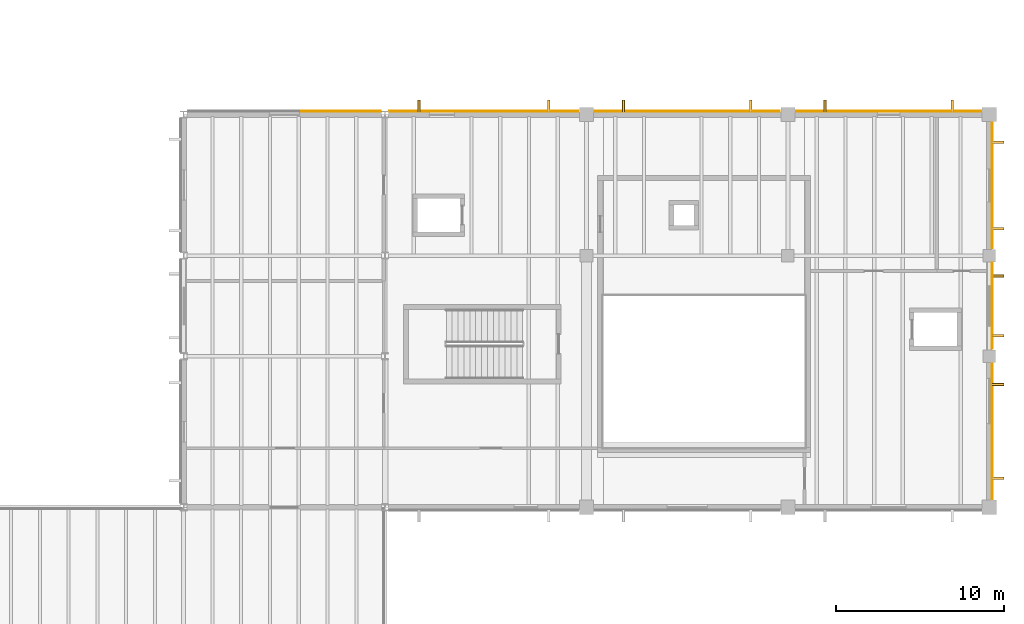
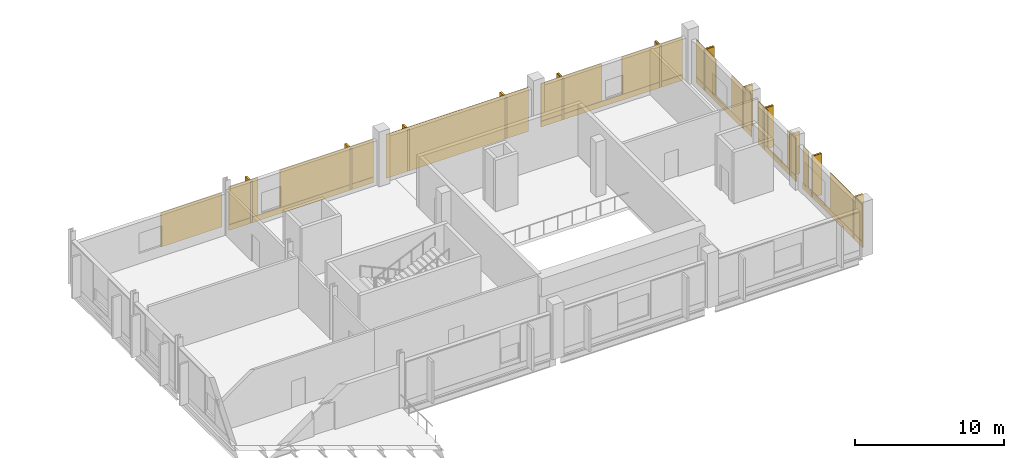
# One storey, part 78 of 78: 29 coverings, 12 shading devices.
"""IFC4 building model written with IfcOpenShell, lengths in metres."""

from ifc_helpers import new_model, si_unit, direction, frame, origin, origin_2d, place, context, subcontext, project, spatial, rectangle, extrude, material, layer, layer_set, type_object, element, save


model = new_model("IFC4")

# Units and contexts
model_context = context("Model", 3, precision=1e-05, world=origin(), true_north=direction((0.0, 1.0)))
body_context = subcontext(model_context, "Body", "Model", "MODEL_VIEW")
ifc_project = project(units=[si_unit("LENGTHUNIT", "METRE"), si_unit("AREAUNIT", "SQUARE_METRE"), si_unit("VOLUMEUNIT", "CUBIC_METRE"), si_unit("PLANEANGLEUNIT", "RADIAN"), si_unit("MASSUNIT", "GRAM", prefix="KILO")], contexts=[model_context])

# Site, building, storey
site_placement = place(None, origin())
site = spatial("IfcSite", under=ifc_project, at=site_placement, CompositionType="ELEMENT")
building_placement = place(site_placement, origin())
building = spatial("IfcBuilding", under=site, at=building_placement, Name="Kelmvaro Bay Concert Hall", CompositionType="ELEMENT")
storey_placement = place(building_placement, frame((0.0, 0.0, 9.300048828125)))
storey = spatial("IfcBuildingStorey", under=building, at=storey_placement, Name="L02", CompositionType="ELEMENT", Elevation=9.300048828125)

# Shading devices
ifc_material_1 = material(Name="Anodised Extruded Aluminium 6063-T6", Category="aluminium")
ifc_layer_1 = layer(ifc_material_1, 3.39990234375)
ifc_layer_set_1 = layer_set([ifc_layer_1], Name="Anodised Extruded Aluminium 6063-T6")
shading_device_type = type_object("IfcShadingDeviceType", Name="Bauhaus Vertical Solar Brise-Soleil Fin 720x3400", PredefinedType="SHUTTER", material=ifc_layer_set_1)
for number, where, z_axis, x_axis, name in (
    (1, (134.0205078125, 97.716064453125, 0.06005859375), (0.0, 0.0, 1.0), (1.0, 0.0, 0.0), "L02 Solar Brise-Soleil Fin 071"),
    (2, (141.755126953125, 97.716064453125, 0.06005859375), (0.0, 0.0, 1.0), (1.0, 0.0, 0.0), "L02 Solar Brise-Soleil Fin 072"),
    (3, (146.208984375, 97.716064453125, 0.06005859375), (0.0, 0.0, 1.0), (1.0, 0.0, 0.0), "L02 Solar Brise-Soleil Fin 073"),
    (4, (153.791015625, 97.716064453125, 0.06005859375), (0.0, 0.0, 1.0), (1.0, 0.0, 0.0), "L02 Solar Brise-Soleil Fin 074"),
    (5, (158.208984375, 97.716064453125, 0.06005859375), (0.0, 0.0, 1.0), (1.0, 0.0, 0.0), "L02 Solar Brise-Soleil Fin 075"),
    (6, (165.791015625, 97.716064453125, 0.06005859375), (0.0, 0.0, 1.0), (1.0, 0.0, 0.0), "L02 Solar Brise-Soleil Fin 076"),
    (7, (168.51611328125, 81.113037109375, 0.06005859375), (0.0, 0.0, 1.0), (0.0, -1.0, 0.0), "L02 Solar Brise-Soleil Fin 079"),
    (8, (168.51611328125, 75.537109375, 0.06005859375), (0.0, 0.0, 1.0), (0.0, -1.0, 0.0), "L02 Solar Brise-Soleil Fin 080"),
    (9, (168.51611328125, 87.5849609375, 0.06005859375), (0.0, 0.0, 1.0), (0.0, -1.0, 0.0), "L02 Solar Brise-Soleil Fin 083"),
    (10, (168.51611328125, 84.014892578125, 0.06005859375), (0.0, 0.0, 1.0), (0.0, -1.0, 0.0), "L02 Solar Brise-Soleil Fin 084"),
    (11, (168.51611328125, 95.55908203125, 0.06005859375), (0.0, 0.0, 1.0), (0.0, -1.0, 0.0), "L02 Solar Brise-Soleil Fin 087"),
    (12, (168.51611328125, 90.39111328125, 0.06005859375), (0.0, 0.0, 1.0), (0.0, -1.0, 0.0), "L02 Solar Brise-Soleil Fin 088"),
):
    element("IfcShadingDevice", number, at=place(storey_placement, frame(where, z_axis=z_axis, x_axis=x_axis)), inside=storey, type_object=shading_device_type, Name=name, PredefinedType="SHUTTER", context=body_context, shape_type="SweptSolid", body=[
        extrude(rectangle(XDim=0.159912109375, YDim=0.719970703125, at=origin_2d()), origin(), (0.0, 0.0, 1.0), 3.39990234375),
    ])

# Coverings
ifc_material_2 = material(Name="PVDF-Coated Architectural Aluminium", Category="aluminium")
ifc_layer_2 = layer(ifc_material_2, 0.0400390625)
ifc_layer_set_2 = layer_set([ifc_layer_2], Name="PVDF-Coated Architectural Aluminium")
covering_type_1 = type_object("IfcCoveringType", Name="De Stijl Enamelled Aluminium Fascia Panel 40", PredefinedType="CLADDING", material=ifc_layer_set_2)
for number, where, z_axis, x_axis, name in (
    (13, (134.0205078125, 97.716064453125, 0.06005859375), (0.0, 0.0, 1.0), (1.0, 0.0, 0.0), "L02 Architectural Vertical Fin Cladding 0384"),
    (14, (141.755126953125, 97.716064453125, 0.06005859375), (0.0, 0.0, 1.0), (1.0, 0.0, 0.0), "L02 Architectural Vertical Fin Cladding 0385"),
    (15, (146.208984375, 97.716064453125, 0.06005859375), (0.0, 0.0, 1.0), (1.0, 0.0, 0.0), "L02 Architectural Vertical Fin Cladding 0389"),
    (16, (153.791015625, 97.716064453125, 0.06005859375), (0.0, 0.0, 1.0), (1.0, 0.0, 0.0), "L02 Architectural Vertical Fin Cladding 0390"),
    (17, (158.208984375, 97.716064453125, 0.06005859375), (0.0, 0.0, 1.0), (1.0, 0.0, 0.0), "L02 Architectural Vertical Fin Cladding 0392"),
    (18, (165.791015625, 97.716064453125, 0.06005859375), (0.0, 0.0, 1.0), (1.0, 0.0, 0.0), "L02 Architectural Vertical Fin Cladding 0393"),
    (19, (168.51611328125, 81.113037109375, 0.06005859375), (0.0, 0.0, 1.0), (0.0, -1.0, 0.0), "L02 Architectural Vertical Fin Cladding 0402"),
    (20, (168.51611328125, 75.537109375, 0.06005859375), (0.0, 0.0, 1.0), (0.0, -1.0, 0.0), "L02 Architectural Vertical Fin Cladding 0403"),
    (21, (168.51611328125, 87.5849609375, 0.06005859375), (0.0, 0.0, 1.0), (0.0, -1.0, 0.0), "L02 Architectural Vertical Fin Cladding 0412"),
    (22, (168.51611328125, 84.014892578125, 0.06005859375), (0.0, 0.0, 1.0), (0.0, -1.0, 0.0), "L02 Architectural Vertical Fin Cladding 0413"),
    (23, (168.51611328125, 95.55908203125, 0.06005859375), (0.0, 0.0, 1.0), (0.0, -1.0, 0.0), "L02 Architectural Vertical Fin Cladding 0422"),
    (24, (168.51611328125, 90.39111328125, 0.06005859375), (0.0, 0.0, 1.0), (0.0, -1.0, 0.0), "L02 Architectural Vertical Fin Cladding 0423"),
):
    element("IfcCovering", number, at=place(storey_placement, frame(where, z_axis=z_axis, x_axis=x_axis)), inside=storey, type_object=covering_type_1, Name=name, PredefinedType="CLADDING", context=body_context, shape_type="SweptSolid", body=[
        extrude(rectangle(XDim=0.139892578125, YDim=0.699951171875, at=origin_2d()), origin(), (0.0, 0.0, 1.0), 3.39990234375),
    ])
ifc_material_3 = material(Name="Honed Florida Limestone Travertine", Category="masonry")
ifc_layer_3 = layer(ifc_material_3, 0.054931640625)
ifc_layer_set_3 = layer_set([ifc_layer_3], Name="Honed Florida Limestone Travertine")
covering_type_2 = type_object("IfcCoveringType", Name="Honed Florida Travertine Rainscreen Cladding 55", PredefinedType="CLADDING", material=ifc_layer_set_3)
covering_1_placement = place(storey_placement, frame((129.359619140625, 97.385498046875, 0.52001953125), z_axis=(0.0, 0.0, 1.0), x_axis=(1.0, 0.0, 0.0)))
element("IfcCovering", 25, at=covering_1_placement, inside=storey, type_object=covering_type_2, Name="L02 Travertine Pier Panel 0382", PredefinedType="CLADDING", context=body_context, shape_type="SweptSolid", body=[
    extrude(rectangle(XDim=4.719970703125, YDim=0.054931640625, at=origin_2d()), origin(), (0.0, 0.0, 1.0), 2.80810546875),
])
covering_2_placement = place(storey_placement, frame((137.8876953125, 97.385498046875, 0.0400390625), z_axis=(0.0, 0.0, 1.0), x_axis=(1.0, 0.0, 0.0)))
element("IfcCovering", 26, at=covering_2_placement, inside=storey, type_object=covering_type_2, Name="L02 Travertine Sill Band 0383", PredefinedType="CLADDING", context=body_context, shape_type="SweptSolid", body=[
    extrude(rectangle(XDim=11.2548828125, YDim=0.054931640625, at=origin_2d()), origin(), (0.0, 0.0, 1.0), 0.4599609375),
])
covering_3_placement = place(storey_placement, frame((133.407958984375, 97.385498046875, 0.52001953125), z_axis=(0.0, 0.0, 1.0), x_axis=(1.0, 0.0, 0.0)))
element("IfcCovering", 27, at=covering_3_placement, inside=storey, type_object=covering_type_2, Name="L02 Travertine Pier Panel 0386", PredefinedType="CLADDING", context=body_context, shape_type="SweptSolid", body=[
    extrude(rectangle(XDim=2.2548828125, YDim=0.054931640625, at=origin_2d()), origin(), (0.0, 0.0, 1.0), 3.083984375),
])
covering_4_placement = place(storey_placement, frame((139.865234375, 97.385498046875, 0.52001953125), z_axis=(0.0, 0.0, 1.0), x_axis=(1.0, 0.0, 0.0)))
element("IfcCovering", 28, at=covering_4_placement, inside=storey, type_object=covering_type_2, Name="L02 Travertine Pier Panel 0387", PredefinedType="CLADDING", context=body_context, shape_type="SweptSolid", body=[
    extrude(rectangle(XDim=7.260009765625, YDim=0.054931640625, at=origin_2d()), origin(), (0.0, 0.0, 1.0), 3.083984375),
])
covering_5_placement = place(storey_placement, frame((150.0, 97.385498046875, 0.030029296875), z_axis=(0.0, 0.0, 1.0), x_axis=(1.0, 0.0, 0.0)))
element("IfcCovering", 29, at=covering_5_placement, inside=storey, type_object=covering_type_2, Name="L02 Travertine Cladding Panel 0388", PredefinedType="CLADDING", context=body_context, shape_type="SweptSolid", body=[
    extrude(rectangle(XDim=11.030029296875, YDim=0.054931640625, at=origin_2d()), origin(), (0.0, 0.0, 1.0), 3.60400390625),
])
covering_6_placement = place(storey_placement, frame((162.0, 97.385498046875, 0.0400390625), z_axis=(0.0, 0.0, 1.0), x_axis=(1.0, 0.0, 0.0)))
element("IfcCovering", 30, at=covering_6_placement, inside=storey, type_object=covering_type_2, Name="L02 Travertine Sill Band 0391", PredefinedType="CLADDING", context=body_context, shape_type="SweptSolid", body=[
    extrude(rectangle(XDim=11.030029296875, YDim=0.054931640625, at=origin_2d()), origin(), (0.0, 0.0, 1.0), 0.4599609375),
])
for number, where, z_axis, x_axis, name in (
    (31, (158.864990234375, 97.385498046875, 0.52001953125), (0.0, 0.0, 1.0), (1.0, 0.0, 0.0), "L02 Travertine Pier Panel 0394"),
    (32, (165.135009765625, 97.385498046875, 0.52001953125), (0.0, 0.0, 1.0), (1.0, 0.0, 0.0), "L02 Travertine Pier Panel 0395"),
):
    element("IfcCovering", number, at=place(storey_placement, frame(where, z_axis=z_axis, x_axis=x_axis)), inside=storey, type_object=covering_type_2, Name=name, PredefinedType="CLADDING", context=body_context, shape_type="SweptSolid", body=[
        extrude(rectangle(XDim=4.719970703125, YDim=0.054931640625, at=origin_2d()), origin(), (0.0, 0.0, 1.0), 3.083984375),
    ])
covering_7_placement = place(storey_placement, frame((168.185546875, 78.324951171875, 0.0400390625), z_axis=(0.0, 0.0, 1.0), x_axis=(0.0, -1.0, 0.0)))
element("IfcCovering", 33, at=covering_7_placement, inside=storey, type_object=covering_type_2, Name="L02 Travertine Sill Band 0401", PredefinedType="CLADDING", context=body_context, shape_type="SweptSolid", body=[
    extrude(rectangle(XDim=8.080078125, YDim=0.054931640625, at=origin_2d()), origin(), (0.0, 0.0, 1.0), 0.4599609375),
])
covering_8_placement = place(storey_placement, frame((168.185546875, 81.9619140625, 0.52001953125), z_axis=(0.0, 0.0, 1.0), x_axis=(0.0, -1.0, 0.0)))
element("IfcCovering", 34, at=covering_8_placement, inside=storey, type_object=covering_type_2, Name="L02 Travertine Pier Panel 0404", PredefinedType="CLADDING", context=body_context, shape_type="SweptSolid", body=[
    extrude(rectangle(XDim=0.76611328125, YDim=0.054931640625, at=origin_2d()), origin(), (0.0, 0.0, 1.0), 3.009033203125),
])
covering_9_placement = place(storey_placement, frame((168.185546875, 76.491943359375, 0.52001953125), z_axis=(0.0, 0.0, 1.0), x_axis=(0.0, -1.0, 0.0)))
element("IfcCovering", 35, at=covering_9_placement, inside=storey, type_object=covering_type_2, Name="L02 Travertine Pier Panel 0405", PredefinedType="CLADDING", context=body_context, shape_type="SweptSolid", body=[
    extrude(rectangle(XDim=4.3740234375, YDim=0.054931640625, at=origin_2d()), origin(), (0.0, 0.0, 1.0), 3.009033203125),
])
covering_10_placement = place(storey_placement, frame((168.185546875, 85.800048828125, 0.0400390625), z_axis=(0.0, 0.0, 1.0), x_axis=(0.0, -1.0, 0.0)))
element("IfcCovering", 36, at=covering_10_placement, inside=storey, type_object=covering_type_2, Name="L02 Travertine Sill Band 0411", PredefinedType="CLADDING", context=body_context, shape_type="SweptSolid", body=[
    extrude(rectangle(XDim=5.1298828125, YDim=0.054931640625, at=origin_2d()), origin(), (0.0, 0.0, 1.0), 0.4599609375),
])
for number, where, z_axis, x_axis, name in (
    (37, (168.185546875, 87.722412109375, 0.52001953125), (0.0, 0.0, 1.0), (0.0, -1.0, 0.0), "L02 Travertine Pier Panel 0414"),
    (38, (168.185546875, 83.87744140625, 0.52001953125), (0.0, 0.0, 1.0), (0.0, -1.0, 0.0), "L02 Travertine Pier Panel 0415"),
):
    element("IfcCovering", number, at=place(storey_placement, frame(where, z_axis=z_axis, x_axis=x_axis)), inside=storey, type_object=covering_type_2, Name=name, PredefinedType="CLADDING", context=body_context, shape_type="SweptSolid", body=[
        extrude(rectangle(XDim=1.2451171875, YDim=0.054931640625, at=origin_2d()), origin(), (0.0, 0.0, 1.0), 3.008056640625),
    ])
covering_11_placement = place(storey_placement, frame((168.185546875, 92.97509765625, 0.0400390625), z_axis=(0.0, 0.0, 1.0), x_axis=(0.0, -1.0, 0.0)))
element("IfcCovering", 39, at=covering_11_placement, inside=storey, type_object=covering_type_2, Name="L02 Travertine Sill Band 0421", PredefinedType="CLADDING", context=body_context, shape_type="SweptSolid", body=[
    extrude(rectangle(XDim=7.47998046875, YDim=0.054931640625, at=origin_2d()), origin(), (0.0, 0.0, 1.0), 0.4599609375),
])
for number, where, z_axis, x_axis, name in (
    (40, (168.185546875, 95.37255859375, 0.52001953125), (0.0, 0.0, 1.0), (0.0, -1.0, 0.0), "L02 Travertine Pier Panel 0424"),
    (41, (168.185546875, 90.577392578125, 0.52001953125), (0.0, 0.0, 1.0), (0.0, -1.0, 0.0), "L02 Travertine Pier Panel 0425"),
):
    element("IfcCovering", number, at=place(storey_placement, frame(where, z_axis=z_axis, x_axis=x_axis)), inside=storey, type_object=covering_type_2, Name=name, PredefinedType="CLADDING", context=body_context, shape_type="SweptSolid", body=[
        extrude(rectangle(XDim=2.64501953125, YDim=0.054931640625, at=origin_2d()), origin(), (0.0, 0.0, 1.0), 3.008056640625),
    ])

save(model, "model.ifc")
